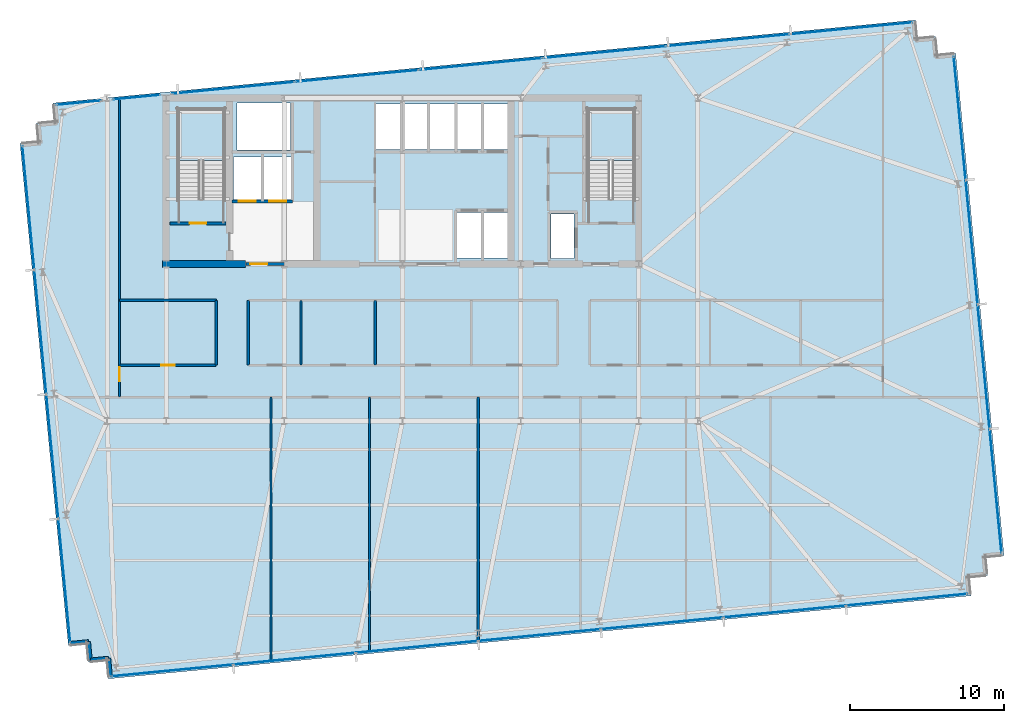
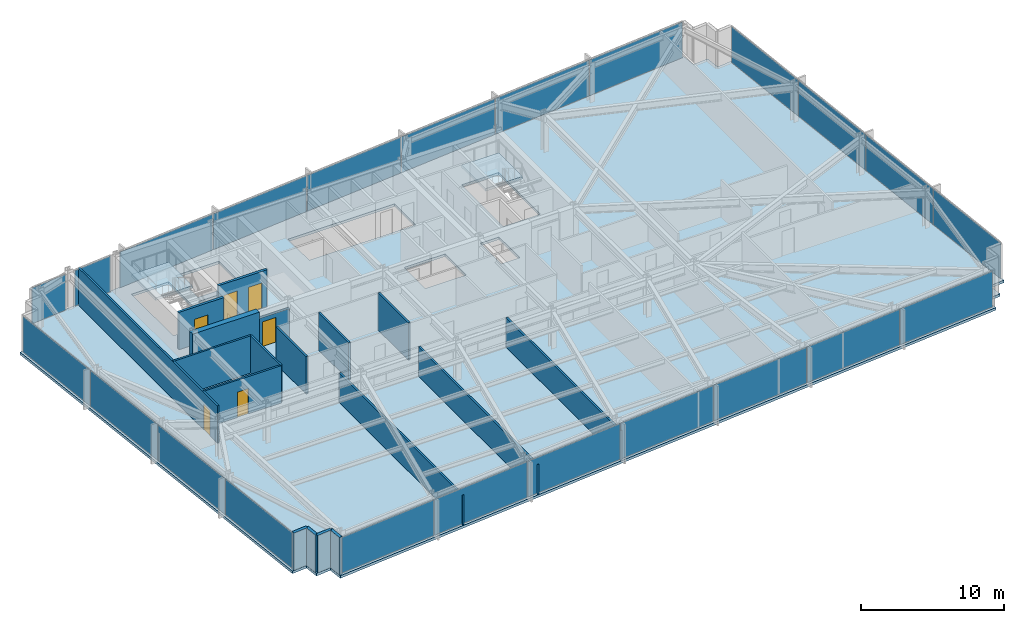
# One storey, part 24 of 33: 23 plates, 18 walls, 6 doors, 3 slabs, 6 openings, 8 elements without a shape of their own.
"""IFC4 building model written with IfcOpenShell, lengths in metres."""

from ifc_helpers import new_model, si_unit, direction, frame, frame_2d, origin, origin_2d, place, context, subcontext, project, spatial, polyline, rectangle, outline, extrude, material, layer, layer_set, type_object, element, fill, aggregate, save


model = new_model("IFC4")

# Units and contexts
model_context = context("Model", 3, precision=1e-05, world=origin(), true_north=direction((0.0, 1.0)))
body_context = subcontext(model_context, "Body", "Model", "MODEL_VIEW")
ifc_project = project(units=[si_unit("LENGTHUNIT", "METRE"), si_unit("AREAUNIT", "SQUARE_METRE"), si_unit("VOLUMEUNIT", "CUBIC_METRE"), si_unit("PLANEANGLEUNIT", "RADIAN"), si_unit("MASSUNIT", "GRAM", prefix="KILO")], contexts=[model_context])

# Site, building, storey
site_placement = place(None, origin())
site = spatial("IfcSite", under=ifc_project, at=site_placement, CompositionType="ELEMENT")
building_placement = place(site_placement, origin())
building = spatial("IfcBuilding", under=site, at=building_placement, Name="Yelkora Congress Tower", CompositionType="ELEMENT")
storey_placement = place(building_placement, frame((0.0, 0.0, 106.699951171875)))
storey = spatial("IfcBuildingStorey", under=building, at=storey_placement, Name="L28", CompositionType="ELEMENT", Elevation=106.699951171875)

# Curtain wall, plates
ifc_material_1 = material(Name="Anodised aluminium and insulated glass", Category="aluminium")
curtain_wall_type = type_object("IfcCurtainWallType", Name="CW-SYS-B2", PredefinedType="NOTDEFINED", material=ifc_material_1)
curtain_wall_1_placement = place(storey_placement, origin())
curtain_wall_1 = element("IfcCurtainWall", 1, at=curtain_wall_1_placement, inside=storey, type_object=curtain_wall_type, Name="L28 Unitised Curtain Wall 5", PredefinedType="NOTDEFINED")
ifc_material_2 = material(Name="Solar-control low-E glass unit B2", Category="glass")
ifc_layer_1 = layer(ifc_material_2, 0.0380859375)
ifc_layer_set_1 = layer_set([ifc_layer_1], Name="Solar-control low-E glass unit B2")
plate_type = type_object("IfcPlateType", Name="PLT-PN-B2", PredefinedType="CURTAIN_PANEL", material=ifc_layer_set_1)
plate_1_placement = place(storey_placement, frame((16.41650390625, 14.820068359375, 0.06494140625), z_axis=(0.0, 0.0, 1.0), x_axis=(-0.095842541913, 0.995396507508, 0.0)))
plate_1 = element("IfcPlate", 2, at=plate_1_placement, type_object=plate_type, Name="CW-B2 panel 1.1", PredefinedType="CURTAIN_PANEL", context=body_context, shape_type="SweptSolid", body=[
    extrude(rectangle(XDim=8.02490234375, YDim=0.0380859375, at=origin_2d()), origin(), (0.0, 0.0, 1.0), 3.050048828125),
])
plate_2_placement = place(storey_placement, frame((15.638916015625, 22.895263671875, 0.06494140625), z_axis=(0.0, 0.0, 1.0), x_axis=(-0.095842541913, 0.995396507508, 0.0)))
plate_2 = element("IfcPlate", 3, at=plate_2_placement, type_object=plate_type, Name="CW-B2 panel 2.1", PredefinedType="CURTAIN_PANEL", context=body_context, shape_type="SweptSolid", body=[
    extrude(rectangle(XDim=8.06005859375, YDim=0.0380859375, at=origin_2d()), origin(), (0.0, 0.0, 1.0), 3.050048828125),
])
plate_3_placement = place(storey_placement, frame((14.859619140625, 30.98779296875, 0.06494140625), z_axis=(0.0, 0.0, 1.0), x_axis=(-0.095842541913, 0.995396507508, 0.0)))
plate_3 = element("IfcPlate", 4, at=plate_3_placement, type_object=plate_type, Name="CW-B2 panel 3.1", PredefinedType="CURTAIN_PANEL", context=body_context, shape_type="SweptSolid", body=[
    extrude(rectangle(XDim=8.06005859375, YDim=0.0380859375, at=origin_2d()), origin(), (0.0, 0.0, 1.0), 3.050048828125),
])
plate_4_placement = place(storey_placement, frame((14.082275390625, 39.06298828125, 0.06494140625), z_axis=(0.0, 0.0, 1.0), x_axis=(-0.095842541913, 0.995396507508, 0.0)))
plate_4 = element("IfcPlate", 5, at=plate_4_placement, type_object=plate_type, Name="CW-B2 panel 4.1", PredefinedType="CURTAIN_PANEL", context=body_context, shape_type="SweptSolid", body=[
    extrude(rectangle(XDim=8.02490234375, YDim=0.0380859375, at=origin_2d()), origin(), (0.0, 0.0, 1.0), 3.050048828125),
])
aggregate(curtain_wall_1, [plate_1, plate_2, plate_3, plate_4])

# Curtain wall, plate
curtain_wall_2_placement = place(storey_placement, origin())
curtain_wall_2 = element("IfcCurtainWall", 6, at=curtain_wall_2_placement, inside=storey, type_object=curtain_wall_type, Name="L28 Unitised Curtain Wall 10 (1)", PredefinedType="NOTDEFINED")
plate_5_placement = place(storey_placement, frame((17.35888671875, 45.89111328125, 0.06494140625), z_axis=(0.0, 0.0, 1.0), x_axis=(0.99539681521, 0.095839346142, 0.0)))
plate_5 = element("IfcPlate", 7, at=plate_5_placement, type_object=plate_type, Name="CW-B2 panel 1.1", PredefinedType="CURTAIN_PANEL", context=body_context, shape_type="SweptSolid", body=[
    extrude(rectangle(XDim=2.89208984375, YDim=0.0380859375, at=origin_2d()), origin(), (0.0, 0.0, 1.0), 3.050048828125),
])
aggregate(curtain_wall_2, [plate_5])

curtain_wall_3_placement = place(storey_placement, origin())
curtain_wall_3 = element("IfcCurtainWall", 8, at=curtain_wall_3_placement, inside=storey, type_object=curtain_wall_type, Name="L28 Unitised Curtain Wall 10 (2)", PredefinedType="NOTDEFINED")
plate_6_placement = place(storey_placement, frame((21.1201171875, 46.253173828125, 0.06494140625), z_axis=(0.0, 0.0, 1.0), x_axis=(0.99539661748, 0.095841399764, 0.0)))
plate_6 = element("IfcPlate", 9, at=plate_6_placement, type_object=plate_type, Name="CW-B2 panel 1.1", PredefinedType="CURTAIN_PANEL", context=body_context, shape_type="SweptSolid", body=[
    extrude(rectangle(XDim=3.05078125, YDim=0.0380859375, at=origin_2d()), origin(), (0.0, 0.0, 1.0), 3.050048828125),
])
aggregate(curtain_wall_3, [plate_6])

# Curtain wall, plates
curtain_wall_4_placement = place(storey_placement, origin())
curtain_wall_4 = element("IfcCurtainWall", 10, at=curtain_wall_4_placement, inside=storey, type_object=curtain_wall_type, Name="L28 Unitised Curtain Wall 10 (3)", PredefinedType="NOTDEFINED")
plate_7_placement = place(storey_placement, frame((27.409423828125, 46.858642578125, 0.06494140625), z_axis=(0.0, 0.0, 1.0), x_axis=(0.995396344153, 0.095844238468, 0.0)))
plate_7 = element("IfcPlate", 11, at=plate_7_placement, type_object=plate_type, Name="CW-B2 panel 1.1", PredefinedType="CURTAIN_PANEL", context=body_context, shape_type="SweptSolid", body=[
    extrude(rectangle(XDim=7.97216796875, YDim=0.0380859375, at=origin_2d()), origin(), (0.0, 0.0, 1.0), 3.050048828125),
])
plate_8_placement = place(storey_placement, frame((35.431884765625, 47.631103515625, 0.06494140625), z_axis=(0.0, 0.0, 1.0), x_axis=(0.995396344153, 0.095844238468, 0.0)))
plate_8 = element("IfcPlate", 12, at=plate_8_placement, type_object=plate_type, Name="CW-B2 panel 2.1", PredefinedType="CURTAIN_PANEL", context=body_context, shape_type="SweptSolid", body=[
    extrude(rectangle(XDim=8.007080078125, YDim=0.0380859375, at=origin_2d()), origin(), (0.0, 0.0, 1.0), 3.050048828125),
])
plate_9_placement = place(storey_placement, frame((43.471923828125, 48.4052734375, 0.06494140625), z_axis=(0.0, 0.0, 1.0), x_axis=(0.995396344153, 0.095844238468, 0.0)))
plate_9 = element("IfcPlate", 13, at=plate_9_placement, type_object=plate_type, Name="CW-B2 panel 3.1", PredefinedType="CURTAIN_PANEL", context=body_context, shape_type="SweptSolid", body=[
    extrude(rectangle(XDim=8.007080078125, YDim=0.0380859375, at=origin_2d()), origin(), (0.0, 0.0, 1.0), 3.050048828125),
])
plate_10_placement = place(storey_placement, frame((51.511962890625, 49.179443359375, 0.06494140625), z_axis=(0.0, 0.0, 1.0), x_axis=(0.995396344153, 0.095844238468, 0.0)))
plate_10 = element("IfcPlate", 14, at=plate_10_placement, type_object=plate_type, Name="CW-B2 panel 4.1", PredefinedType="CURTAIN_PANEL", context=body_context, shape_type="SweptSolid", body=[
    extrude(rectangle(XDim=8.007080078125, YDim=0.0380859375, at=origin_2d()), origin(), (0.0, 0.0, 1.0), 3.050048828125),
])
plate_11_placement = place(storey_placement, frame((59.552001953125, 49.95361328125, 0.06494140625), z_axis=(0.0, 0.0, 1.0), x_axis=(0.995396344153, 0.095844238468, 0.0)))
plate_11 = element("IfcPlate", 15, at=plate_11_placement, type_object=plate_type, Name="CW-B2 panel 5.1", PredefinedType="CURTAIN_PANEL", context=body_context, shape_type="SweptSolid", body=[
    extrude(rectangle(XDim=8.007080078125, YDim=0.0380859375, at=origin_2d()), origin(), (0.0, 0.0, 1.0), 3.050048828125),
])
plate_12_placement = place(storey_placement, frame((67.574462890625, 50.72607421875, 0.06494140625), z_axis=(0.0, 0.0, 1.0), x_axis=(0.995396344153, 0.095844238468, 0.0)))
plate_12 = element("IfcPlate", 16, at=plate_12_placement, type_object=plate_type, Name="CW-B2 panel 6.1", PredefinedType="CURTAIN_PANEL", context=body_context, shape_type="SweptSolid", body=[
    extrude(rectangle(XDim=7.97216796875, YDim=0.0380859375, at=origin_2d()), origin(), (0.0, 0.0, 1.0), 3.050048828125),
])
aggregate(curtain_wall_4, [plate_7, plate_8, plate_9, plate_10, plate_11, plate_12])

curtain_wall_5_placement = place(storey_placement, origin())
curtain_wall_5 = element("IfcCurtainWall", 17, at=curtain_wall_5_placement, inside=storey, type_object=curtain_wall_type, Name="L28 Unitised Curtain Wall 15", PredefinedType="NOTDEFINED")
plate_13_placement = place(storey_placement, frame((74.6220703125, 44.892333984375, 0.06494140625), z_axis=(0.0, 0.0, 1.0), x_axis=(0.095842541913, -0.995396507508, 0.0)))
plate_13 = element("IfcPlate", 18, at=plate_13_placement, type_object=plate_type, Name="CW-B2 panel 1.1", PredefinedType="CURTAIN_PANEL", context=body_context, shape_type="SweptSolid", body=[
    extrude(rectangle(XDim=8.02490234375, YDim=0.0380859375, at=origin_2d()), origin(), (0.0, 0.0, 1.0), 3.050048828125),
])
plate_14_placement = place(storey_placement, frame((75.399658203125, 36.817138671875, 0.06494140625), z_axis=(0.0, 0.0, 1.0), x_axis=(0.095842541913, -0.995396507508, 0.0)))
plate_14 = element("IfcPlate", 19, at=plate_14_placement, type_object=plate_type, Name="CW-B2 panel 2.1", PredefinedType="CURTAIN_PANEL", context=body_context, shape_type="SweptSolid", body=[
    extrude(rectangle(XDim=8.06005859375, YDim=0.0380859375, at=origin_2d()), origin(), (0.0, 0.0, 1.0), 3.050048828125),
])
plate_15_placement = place(storey_placement, frame((76.178955078125, 28.724609375, 0.06494140625), z_axis=(0.0, 0.0, 1.0), x_axis=(0.095842541913, -0.995396507508, 0.0)))
plate_15 = element("IfcPlate", 20, at=plate_15_placement, type_object=plate_type, Name="CW-B2 panel 3.1", PredefinedType="CURTAIN_PANEL", context=body_context, shape_type="SweptSolid", body=[
    extrude(rectangle(XDim=8.06005859375, YDim=0.0380859375, at=origin_2d()), origin(), (0.0, 0.0, 1.0), 3.050048828125),
])
plate_16_placement = place(storey_placement, frame((76.95654296875, 20.6494140625, 0.06494140625), z_axis=(0.0, 0.0, 1.0), x_axis=(0.095842541913, -0.995396507508, 0.0)))
plate_16 = element("IfcPlate", 21, at=plate_16_placement, type_object=plate_type, Name="CW-B2 panel 4.1", PredefinedType="CURTAIN_PANEL", context=body_context, shape_type="SweptSolid", body=[
    extrude(rectangle(XDim=8.02490234375, YDim=0.0380859375, at=origin_2d()), origin(), (0.0, 0.0, 1.0), 3.050048828125),
])
aggregate(curtain_wall_5, [plate_13, plate_14, plate_15, plate_16])

curtain_wall_6_placement = place(storey_placement, origin())
curtain_wall_6 = element("IfcCurtainWall", 22, at=curtain_wall_6_placement, inside=storey, type_object=curtain_wall_type, Name="L28 Unitised Curtain Wall 20", PredefinedType="NOTDEFINED")
plate_17_placement = place(storey_placement, frame((71.1884765625, 13.58154296875, 0.06494140625), z_axis=(0.0, 0.0, 1.0), x_axis=(-0.995396333816, -0.095844345816, 0.0)))
plate_17 = element("IfcPlate", 23, at=plate_17_placement, type_object=plate_type, Name="CW-B2 panel 1.1", PredefinedType="CURTAIN_PANEL", context=body_context, shape_type="SweptSolid", body=[
    extrude(rectangle(XDim=7.89794921875, YDim=0.0380859375, at=origin_2d()), origin(), (0.0, 0.0, 1.0), 3.050048828125),
])
plate_18_placement = place(storey_placement, frame((63.23974609375, 12.816162109375, 0.06494140625), z_axis=(0.0, 0.0, 1.0), x_axis=(-0.995396333816, -0.095844345816, 0.0)))
plate_18 = element("IfcPlate", 24, at=plate_18_placement, type_object=plate_type, Name="CW-B2 panel 2.1", PredefinedType="CURTAIN_PANEL", context=body_context, shape_type="SweptSolid", body=[
    extrude(rectangle(XDim=7.932861328125, YDim=0.0380859375, at=origin_2d()), origin(), (0.0, 0.0, 1.0), 3.050048828125),
])
plate_19_placement = place(storey_placement, frame((55.273681640625, 12.049072265625, 0.06494140625), z_axis=(0.0, 0.0, 1.0), x_axis=(-0.995396333816, -0.095844345816, 0.0)))
plate_19 = element("IfcPlate", 25, at=plate_19_placement, type_object=plate_type, Name="CW-B2 panel 3.1", PredefinedType="CURTAIN_PANEL", context=body_context, shape_type="SweptSolid", body=[
    extrude(rectangle(XDim=7.932861328125, YDim=0.0380859375, at=origin_2d()), origin(), (0.0, 0.0, 1.0), 3.050048828125),
])
plate_20_placement = place(storey_placement, frame((47.307861328125, 11.281982421875, 0.06494140625), z_axis=(0.0, 0.0, 1.0), x_axis=(-0.995396333816, -0.095844345816, 0.0)))
plate_20 = element("IfcPlate", 26, at=plate_20_placement, type_object=plate_type, Name="CW-B2 panel 4.1", PredefinedType="CURTAIN_PANEL", context=body_context, shape_type="SweptSolid", body=[
    extrude(rectangle(XDim=7.932861328125, YDim=0.0380859375, at=origin_2d()), origin(), (0.0, 0.0, 1.0), 3.050048828125),
])
plate_21_placement = place(storey_placement, frame((39.341796875, 10.51513671875, 0.06494140625), z_axis=(0.0, 0.0, 1.0), x_axis=(-0.995396333816, -0.095844345816, 0.0)))
plate_21 = element("IfcPlate", 27, at=plate_21_placement, type_object=plate_type, Name="CW-B2 panel 5.1", PredefinedType="CURTAIN_PANEL", context=body_context, shape_type="SweptSolid", body=[
    extrude(rectangle(XDim=7.932861328125, YDim=0.0380859375, at=origin_2d()), origin(), (0.0, 0.0, 1.0), 3.050048828125),
])
plate_22_placement = place(storey_placement, frame((31.375732421875, 9.748046875, 0.06494140625), z_axis=(0.0, 0.0, 1.0), x_axis=(-0.995396333816, -0.095844345816, 0.0)))
plate_22 = element("IfcPlate", 28, at=plate_22_placement, type_object=plate_type, Name="CW-B2 panel 6.1", PredefinedType="CURTAIN_PANEL", context=body_context, shape_type="SweptSolid", body=[
    extrude(rectangle(XDim=7.932861328125, YDim=0.0380859375, at=origin_2d()), origin(), (0.0, 0.0, 1.0), 3.050048828125),
])
plate_23_placement = place(storey_placement, frame((23.42724609375, 8.982666015625, 0.06494140625), z_axis=(0.0, 0.0, 1.0), x_axis=(-0.995396333816, -0.095844345816, 0.0)))
plate_23 = element("IfcPlate", 29, at=plate_23_placement, type_object=plate_type, Name="CW-B2 panel 7.1", PredefinedType="CURTAIN_PANEL", context=body_context, shape_type="SweptSolid", body=[
    extrude(rectangle(XDim=7.89794921875, YDim=0.0380859375, at=origin_2d()), origin(), (0.0, 0.0, 1.0), 3.050048828125),
])
aggregate(curtain_wall_6, [plate_17, plate_18, plate_19, plate_20, plate_21, plate_22, plate_23])

# Stair, slab
ifc_material_3 = material(Name="Concrete C40/50", Category="concrete")
stair_type = type_object("IfcStairType", Name="STAIR-HT-1420-R20-170", PredefinedType="HALF_TURN_STAIR", material=ifc_material_3)
stair_1_placement = place(storey_placement, origin())
stair_1 = element("IfcStair", 30, at=stair_1_placement, inside=storey, type_object=stair_type, Name="West Core Protected Exit Stair ST-01 (L28)", PredefinedType="HALF_TURN_STAIR")
ifc_layer_2 = layer(ifc_material_3, 0.219970703125)
ifc_layer_set_2 = layer_set([ifc_layer_2], Name="Concrete C40/50")
slab_type_1 = type_object("IfcSlabType", Name="SLAB-LANDING-220", PredefinedType="LANDING", material=ifc_layer_set_2)
slab_1_placement = place(storey_placement, frame((0.0, 0.0, 1.47998046875)))
slab_1 = element("IfcSlab", 31, at=slab_1_placement, type_object=slab_type_1, Name="ST-01 L28 Half Landing 1", PredefinedType="LANDING", context=body_context, shape_type="SweptSolid", body=[
    extrude(outline(polyline([(26.820068359375, 42.1201171875), (26.820068359375, 45.469970703125), (23.820068359375, 45.469970703125), (23.820068359375, 42.1201171875), (26.820068359375, 42.1201171875)])), origin(), (0.0, 0.0, 1.0), 0.219970703125),
])
aggregate(stair_1, [slab_1])

stair_2_placement = place(storey_placement, origin())
stair_2 = element("IfcStair", 32, at=stair_2_placement, inside=storey, type_object=stair_type, Name="East Core Protected Exit Stair ST-02 (L28)", PredefinedType="HALF_TURN_STAIR")
slab_2_placement = place(storey_placement, frame((0.0, 0.0, 1.47998046875)))
slab_2 = element("IfcSlab", 33, at=slab_2_placement, type_object=slab_type_1, Name="ST-02 L28 Half Landing 1", PredefinedType="LANDING", context=body_context, shape_type="SweptSolid", body=[
    extrude(outline(polyline([(53.4599609375, 42.1201171875), (53.4599609375, 45.469970703125), (50.4599609375, 45.469970703125), (50.4599609375, 42.1201171875), (53.4599609375, 42.1201171875)])), origin(), (0.0, 0.0, 1.0), 0.219970703125),
])
aggregate(stair_2, [slab_2])

# Slab
ifc_layer_3 = layer(ifc_material_3, 0.219970703125)
ifc_layer_set_3 = layer_set([ifc_layer_3], Name="Concrete C40/50")
slab_type_2 = type_object("IfcSlabType", Name="SLAB-TWR-220", PredefinedType="FLOOR", material=ifc_layer_set_3)
slab_3_placement = place(storey_placement, frame((0.0, 0.0, -0.219970703125)))
element("IfcSlab", 34, at=slab_3_placement, inside=storey, type_object=slab_type_2, Name="L28 Structural Floor Slab", PredefinedType="FLOOR", context=body_context, shape_type="SweptSolid", body=[
    extrude(outline(polyline([(19.30078125, 8.444580078125), (75.341552734375, 13.8408203125), (75.2265625, 15.035400390625), (76.421142578125, 15.150390625), (76.30615234375, 16.3447265625), (77.50048828125, 16.459716796875), (74.356689453125, 49.10888671875), (73.162353515625, 48.99365234375), (73.04736328125, 50.188232421875), (71.852783203125, 50.0732421875), (71.73779296875, 51.267578125), (15.697021484375, 45.87158203125), (15.81201171875, 44.677001953125), (14.61767578125, 44.56201171875), (14.732666015625, 43.36767578125), (13.5380859375, 43.252685546875), (16.681884765625, 10.603515625), (17.876220703125, 10.718505859375), (17.9912109375, 9.524169921875), (19.185791015625, 9.63916015625), (19.30078125, 8.444580078125)]), holes=[polyline([(23.820068359375, 39.6298828125), (26.820068359375, 39.6298828125), (26.820068359375, 45.469970703125), (23.820068359375, 45.469970703125), (23.820068359375, 39.6298828125)]), polyline([(50.4599609375, 39.6298828125), (53.4599609375, 39.6298828125), (53.4599609375, 45.469970703125), (50.4599609375, 45.469970703125), (50.4599609375, 39.6298828125)]), polyline([(48.050048828125, 35.75), (49.550048828125, 35.75), (49.550048828125, 38.64990234375), (48.050048828125, 38.64990234375), (48.050048828125, 35.75)]), polyline([(36.64990234375, 42.85009765625), (45.25, 42.85009765625), (45.25, 45.800048828125), (36.64990234375, 45.800048828125), (36.64990234375, 42.85009765625)]), polyline([(41.949951171875, 35.800048828125), (45.25, 35.800048828125), (45.25, 38.75), (41.949951171875, 38.75), (41.949951171875, 35.800048828125)]), polyline([(27.419921875, 39.60009765625), (31.179931640625, 39.60009765625), (31.179931640625, 42.35009765625), (27.419921875, 42.35009765625), (27.419921875, 39.60009765625)]), polyline([(27.64990234375, 42.820068359375), (31.1201171875, 42.820068359375), (31.1201171875, 45.8798828125), (27.64990234375, 45.8798828125), (27.64990234375, 42.820068359375)])]), origin(), (0.0, 0.0, 1.0), 0.219970703125),
])

# Walls
ifc_material_4 = material(Name="Concrete C60/75", Category="concrete")
ifc_layer_4 = layer(ifc_material_4, 0.449951171875)
ifc_layer_set_4 = layer_set([ifc_layer_4], Name="Concrete C60/75")
wall_type_1 = type_object("IfcWallType", Name="WALL-CORE-INT-450", PredefinedType="SHEAR", material=ifc_layer_set_4)
wall_1_placement = place(storey_placement, frame((22.81494140625, 35.39990234375, 0.0), z_axis=(0.0, 0.0, 1.0), x_axis=(1.0, 0.0, 0.0)))
element("IfcWall", 35, at=wall_1_placement, inside=storey, type_object=wall_type_1, Name="L28 Rear Core South-West Shear Wall", PredefinedType="SHEAR", context=body_context, shape_type="SweptSolid", body=[
    extrude(rectangle(XDim=5.385009765625, YDim=0.449951171875, at=frame_2d((2.6923828125, 0.0))), origin(), (0.0, 0.0, 1.0), 3.179931640625),
])
ifc_layer_5 = layer(ifc_material_3, 0.239990234375)
ifc_layer_set_5 = layer_set([ifc_layer_5], Name="Concrete C40/50")
wall_type_2 = type_object("IfcWallType", Name="WALL-EXT-LIMESTONE-240", PredefinedType="SOLIDWALL", material=ifc_layer_set_5)
for number, where, z_axis, x_axis, name in (
    (36, (19.4267578125, 8.597412109375, 0.0), (0.0, 0.0, 1.0), (-0.095817067274, 0.995398960025, 0.0), "L28 Serrated Corner Limestone Pier 1"),
    (37, (19.311767578125, 9.7919921875, 0.0), (0.0, 0.0, 1.0), (-0.995398960025, -0.095817067274, 0.0), "L28 Serrated Corner Limestone Pier 2"),
):
    element("IfcWall", number, at=place(storey_placement, frame(where, z_axis=z_axis, x_axis=x_axis)), inside=storey, type_object=wall_type_2, Name=name, PredefinedType="SOLIDWALL", context=body_context, shape_type="SweptSolid", body=[
        extrude(rectangle(XDim=1.2001953125, YDim=0.239990234375, at=frame_2d((0.60009765625, 0.0))), origin(), (0.0, 0.0, 1.0), 3.179931640625),
    ])
wall_2_placement = place(storey_placement, frame((18.1171875, 9.677001953125, 0.0), z_axis=(0.0, 0.0, 1.0), x_axis=(-0.095836473879, 0.995397091755, 0.0)))
element("IfcWall", 38, at=wall_2_placement, inside=storey, type_object=wall_type_2, Name="L28 Serrated Corner Limestone Pier 3", PredefinedType="SOLIDWALL", context=body_context, shape_type="SweptSolid", body=[
    extrude(rectangle(XDim=1.199951171875, YDim=0.239990234375, at=frame_2d((0.60009765625, 0.0))), origin(), (0.0, 0.0, 1.0), 3.179931640625),
])
wall_3_placement = place(storey_placement, frame((18.002197265625, 10.871337890625, 0.0), z_axis=(0.0, 0.0, 1.0), x_axis=(-0.995398960025, -0.095817067274, 0.0)))
element("IfcWall", 39, at=wall_3_placement, inside=storey, type_object=wall_type_2, Name="L28 Serrated Corner Limestone Pier 4", PredefinedType="SOLIDWALL", context=body_context, shape_type="SweptSolid", body=[
    extrude(rectangle(XDim=1.2001953125, YDim=0.239990234375, at=frame_2d((0.60009765625, 0.0))), origin(), (0.0, 0.0, 1.0), 3.179931640625),
])
ifc_material_5 = material(Name="Acoustic metal-stud gypsum partition", Category="gypsum")
ifc_layer_6 = layer(ifc_material_5, 0.14990234375)
ifc_layer_set_6 = layer_set([ifc_layer_6], Name="Acoustic metal-stud gypsum partition")
wall_type_3 = type_object("IfcWallType", Name="WALL-INT-150-NR", PredefinedType="PARTITIONING", material=ifc_layer_set_6)
wall_4_placement = place(storey_placement, frame((29.85791015625, 9.54150390625, 0.0), z_axis=(0.0, 0.0, 1.0), x_axis=(0.0, 1.0, 0.0)))
element("IfcWall", 40, at=wall_4_placement, inside=storey, type_object=wall_type_3, Name="L28 Partition Wall 27", PredefinedType="PARTITIONING", context=body_context, shape_type="SweptSolid", body=[
    extrude(rectangle(XDim=17.228515625, YDim=0.14990234375, at=frame_2d((8.6142578125, 0.0))), origin(), (0.0, 0.0, 1.0), 2.525146484375),
])
wall_5_placement = place(storey_placement, frame((36.259033203125, 10.157958984375, 0.0), z_axis=(0.0, 0.0, 1.0), x_axis=(0.0, 1.0, 0.0)))
element("IfcWall", 41, at=wall_5_placement, inside=storey, type_object=wall_type_3, Name="L28 Partition Wall 28", PredefinedType="PARTITIONING", context=body_context, shape_type="SweptSolid", body=[
    extrude(rectangle(XDim=16.612060546875, YDim=0.14990234375, at=frame_2d((8.30615234375, 0.0))), origin(), (0.0, 0.0, 1.0), 2.525146484375),
])
wall_6_placement = place(storey_placement, frame((43.333984375, 10.839111328125, 0.0), z_axis=(0.0, 0.0, 1.0), x_axis=(0.0, 1.0, 0.0)))
element("IfcWall", 42, at=wall_6_placement, inside=storey, type_object=wall_type_3, Name="L28 Partition Wall 29", PredefinedType="PARTITIONING", context=body_context, shape_type="SweptSolid", body=[
    extrude(rectangle(XDim=15.930908203125, YDim=0.14990234375, at=frame_2d((7.96533203125, 0.0))), origin(), (0.0, 0.0, 1.0), 2.525146484375),
])

# Wall, opening, door
wall_7_placement = place(storey_placement, frame((20.008056640625, 26.75, 0.0), z_axis=(0.0, 0.0, 1.0), x_axis=(0.0, 1.0, 0.0)))
wall_7 = element("IfcWall", 43, at=wall_7_placement, inside=storey, type_object=wall_type_3, Name="L28 Partition Wall 34", PredefinedType="PARTITIONING", context=body_context, shape_type="SweptSolid", body=[
    extrude(rectangle(XDim=19.456298828125, YDim=0.14990234375, at=frame_2d((9.72802734375, 0.0))), origin(), (0.0, 0.0, 1.0), 3.179931640625),
])
opening_1_placement = place(wall_7_placement, frame((1.030029296875, 0.0, 0.0)))
opening_1 = element("IfcOpeningElement", 44, at=opening_1_placement, cuts=wall_7, Name="Opening DR-090N", PredefinedType="OPENING", context=body_context, shape_type="SweptSolid", body=[
    extrude(rectangle(XDim=0.89990234375, YDim=2.14990234375, at=frame_2d((0.449951171875, 1.074951171875))), frame((0.0, 0.0849609375, 0.0), z_axis=(0.0, -1.0, 0.0), x_axis=(1.0, 0.0, 0.0)), (0.0, 0.0, 1.0), 0.169921875),
])
ifc_material_6 = material(Name="Moisture-resistant laminate door leaf", Category="wood")
door_type_1 = type_object("IfcDoorType", Name="DOOR-INT-900", OperationType="NOTDEFINED", PredefinedType="DOOR", material=ifc_material_6)
door_1_placement = place(opening_1_placement, origin())
door_1 = element("IfcDoor", 45, at=door_1_placement, inside=storey, type_object=door_type_1, Name="L28 W Wing Door", OperationType="SINGLE_SWING_RIGHT", OverallHeight=2.14990234375, OverallWidth=0.89990234375, PredefinedType="DOOR", context=body_context, shape_type="SweptSolid", body=[
    extrude(rectangle(XDim=0.89990234375, YDim=2.14990234375, at=frame_2d((0.449951171875, 1.074951171875))), frame((0.0, 0.02490234375, 0.0), z_axis=(0.0, -1.0, 0.0), x_axis=(1.0, 0.0, 0.0)), (0.0, 0.0, 1.0), 0.050048828125),
])
fill(opening_1, door_1)

# Walls
for number, where, z_axis, x_axis, name in (
    (46, (26.300048828125, 28.830078125, 0.0), (0.0, 0.0, 1.0), (0.0, 1.0, 0.0), "L28 Partition Wall 36"),
    (47, (28.3798828125, 28.830078125, 0.0), (0.0, 0.0, 1.0), (0.0, 1.0, 0.0), "L28 Partition Wall 37"),
):
    element("IfcWall", number, at=place(storey_placement, frame(where, z_axis=z_axis, x_axis=x_axis)), inside=storey, type_object=wall_type_3, Name=name, PredefinedType="PARTITIONING", context=body_context, shape_type="SweptSolid", body=[
        extrude(rectangle(XDim=4.219970703125, YDim=0.14990234375, at=frame_2d((2.10986328125, 0.0))), origin(), (0.0, 0.0, 1.0), 3.179931640625),
    ])
wall_8_placement = place(storey_placement, frame((20.008056640625, 33.050048828125, 0.0), z_axis=(0.0, 0.0, 1.0), x_axis=(1.0, 0.0, 0.0)))
element("IfcWall", 48, at=wall_8_placement, inside=storey, type_object=wall_type_3, Name="L28 Partition Wall 40", PredefinedType="PARTITIONING", context=body_context, shape_type="SweptSolid", body=[
    extrude(rectangle(XDim=6.2919921875, YDim=0.14990234375, at=frame_2d((3.14599609375, 0.0))), origin(), (0.0, 0.0, 1.0), 3.179931640625),
])

# Wall, opening, door
wall_9_placement = place(storey_placement, frame((20.028076171875, 28.830078125, 0.0), z_axis=(0.0, 0.0, 1.0), x_axis=(1.0, 0.0, 0.0)))
wall_9 = element("IfcWall", 49, at=wall_9_placement, inside=storey, type_object=wall_type_3, Name="L28 Partition Wall 43", PredefinedType="PARTITIONING", context=body_context, shape_type="SweptSolid", body=[
    extrude(rectangle(XDim=6.261962890625, YDim=0.14990234375, at=frame_2d((3.130859375, 0.0))), origin(), (0.0, 0.0, 1.0), 3.179931640625),
])
opening_2_placement = place(wall_9_placement, frame((2.680908203125, 0.0, 0.0)))
opening_2 = element("IfcOpeningElement", 50, at=opening_2_placement, cuts=wall_9, Name="Opening DR-090N", PredefinedType="OPENING", context=body_context, shape_type="SweptSolid", body=[
    extrude(rectangle(XDim=0.89990234375, YDim=2.14990234375, at=frame_2d((0.449951171875, 1.074951171875))), frame((0.0, 0.0849609375, 0.0), z_axis=(0.0, -1.0, 0.0), x_axis=(1.0, 0.0, 0.0)), (0.0, 0.0, 1.0), 0.169921875),
])
door_2_placement = place(opening_2_placement, origin())
door_2 = element("IfcDoor", 51, at=door_2_placement, inside=storey, type_object=door_type_1, Name="L28 Fitness Yoga Studio Door", OperationType="SINGLE_SWING_RIGHT", OverallHeight=2.14990234375, OverallWidth=0.89990234375, PredefinedType="DOOR", context=body_context, shape_type="SweptSolid", body=[
    extrude(rectangle(XDim=0.89990234375, YDim=2.14990234375, at=frame_2d((0.449951171875, 1.074951171875))), frame((0.0, 0.02490234375, 0.0), z_axis=(0.0, -1.0, 0.0), x_axis=(1.0, 0.0, 0.0)), (0.0, 0.0, 1.0), 0.050048828125),
])
fill(opening_2, door_2)

# Walls
for number, where, z_axis, x_axis, name in (
    (52, (31.806884765625, 28.830078125, 0.0), (0.0, 0.0, 1.0), (0.0, 1.0, 0.0), "L28 Partition Wall 44"),
    (53, (36.631103515625, 28.830078125, 0.0), (0.0, 0.0, 1.0), (0.0, 1.0, 0.0), "L28 Partition Wall 45"),
):
    element("IfcWall", number, at=place(storey_placement, frame(where, z_axis=z_axis, x_axis=x_axis)), inside=storey, type_object=wall_type_3, Name=name, PredefinedType="PARTITIONING", context=body_context, shape_type="SweptSolid", body=[
        extrude(rectangle(XDim=4.219970703125, YDim=0.14990234375, at=frame_2d((2.10986328125, 0.0))), origin(), (0.0, 0.0, 1.0), 3.179931640625),
    ])

# Wall, opening, door
ifc_material_7 = material(Name="Autoclaved aerated concrete blockwork", Category="masonry")
ifc_layer_7 = layer(ifc_material_7, 0.199951171875)
ifc_layer_set_7 = layer_set([ifc_layer_7], Name="Autoclaved aerated concrete blockwork")
wall_type_4 = type_object("IfcWallType", Name="WALL-INT-200-R120", PredefinedType="PARTITIONING", material=ifc_layer_set_7)
wall_10_placement = place(storey_placement, frame((23.300048828125, 38.050048828125, 0.0), z_axis=(0.0, 0.0, 1.0), x_axis=(1.0, 0.0, 0.0)))
wall_10 = element("IfcWall", 54, at=wall_10_placement, inside=storey, type_object=wall_type_4, Name="L28 Stair ST-01 Enclosure Wall", PredefinedType="PARTITIONING", context=body_context, shape_type="SweptSolid", body=[
    extrude(rectangle(XDim=3.619873046875, YDim=0.199951171875, at=frame_2d((1.81005859375, 0.0))), origin(), (0.0, 0.0, 1.0), 3.179931640625),
])
opening_3_placement = place(wall_10_placement, frame((1.260009765625, 0.0, 0.0)))
opening_3 = element("IfcOpeningElement", 55, at=opening_3_placement, cuts=wall_10, Name="Opening DR-110F9", PredefinedType="OPENING", context=body_context, shape_type="SweptSolid", body=[
    extrude(rectangle(XDim=1.10009765625, YDim=2.14990234375, at=frame_2d((0.550048828125, 1.074951171875))), frame((0.0, 0.10986328125, 0.0), z_axis=(0.0, -1.0, 0.0), x_axis=(1.0, 0.0, 0.0)), (0.0, 0.0, 1.0), 0.219970703125),
])
ifc_material_8 = material(Name="Galvanised steel fire door leaf", Category="steel")
door_type_2 = type_object("IfcDoorType", Name="DOOR-FD90-1100", OperationType="NOTDEFINED", PredefinedType="DOOR", material=ifc_material_8)
door_3_placement = place(opening_3_placement, origin())
door_3 = element("IfcDoor", 56, at=door_3_placement, inside=storey, type_object=door_type_2, Name="L28 Stair ST-01 Entry Door", OperationType="SINGLE_SWING_LEFT", OverallHeight=2.14990234375, OverallWidth=1.10009765625, PredefinedType="DOOR", context=body_context, shape_type="SweptSolid", body=[
    extrude(rectangle(XDim=1.10009765625, YDim=2.14990234375, at=frame_2d((0.550048828125, 1.074951171875))), frame((0.0, 0.02490234375, 0.0), z_axis=(0.0, -1.0, 0.0), x_axis=(1.0, 0.0, 0.0)), (0.0, 0.0, 1.0), 0.050048828125),
])
fill(opening_3, door_3)

wall_11_placement = place(storey_placement, frame((28.219970703125, 35.39990234375, 0.0), z_axis=(0.0, 0.0, 1.0), x_axis=(1.0, 0.0, 0.0)))
wall_11 = element("IfcWall", 57, at=wall_11_placement, inside=storey, type_object=wall_type_4, Name="L28 Firefighting Lobby South Wall", PredefinedType="PARTITIONING", context=body_context, shape_type="SweptSolid", body=[
    extrude(rectangle(XDim=2.5, YDim=0.199951171875, at=frame_2d((1.25, 0.0))), origin(), (0.0, 0.0, 1.0), 2.525146484375),
])
opening_4_placement = place(wall_11_placement, frame((0.300048828125, 0.0, 0.0)))
opening_4 = element("IfcOpeningElement", 58, at=opening_4_placement, cuts=wall_11, Name="Opening DR-110F9", PredefinedType="OPENING", context=body_context, shape_type="SweptSolid", body=[
    extrude(rectangle(XDim=1.10009765625, YDim=2.14990234375, at=frame_2d((0.550048828125, 1.074951171875))), frame((0.0, 0.10986328125, 0.0), z_axis=(0.0, -1.0, 0.0), x_axis=(1.0, 0.0, 0.0)), (0.0, 0.0, 1.0), 0.219970703125),
])
door_4_placement = place(opening_4_placement, origin())
door_4 = element("IfcDoor", 59, at=door_4_placement, inside=storey, type_object=door_type_2, Name="L28 Firefighting Lobby Corridor Door", OperationType="SINGLE_SWING_RIGHT", OverallHeight=2.14990234375, OverallWidth=1.10009765625, PredefinedType="DOOR", context=body_context, shape_type="SweptSolid", body=[
    extrude(rectangle(XDim=1.10009765625, YDim=2.14990234375, at=frame_2d((0.550048828125, 1.074951171875))), frame((0.0, 0.02490234375, 0.0), z_axis=(0.0, -1.0, 0.0), x_axis=(1.0, 0.0, 0.0)), (0.0, 0.0, 1.0), 0.050048828125),
])
fill(opening_4, door_4)

# Wall, openings, doors
wall_12_placement = place(storey_placement, frame((27.320068359375, 39.47998046875, 0.0), z_axis=(0.0, 0.0, 1.0), x_axis=(1.0, 0.0, 0.0)))
wall_12 = element("IfcWall", 60, at=wall_12_placement, inside=storey, type_object=wall_type_4, Name="L28 Firefighting Lift Front Wall", PredefinedType="PARTITIONING", context=body_context, shape_type="SweptSolid", body=[
    extrude(rectangle(XDim=3.93994140625, YDim=0.199951171875, at=frame_2d((1.969970703125, 0.0))), origin(), (0.0, 0.0, 1.0), 3.179931640625),
])
opening_5_placement = place(wall_12_placement, frame((0.449951171875, 0.0, 0.0)))
opening_5 = element("IfcOpeningElement", 61, at=opening_5_placement, cuts=wall_12, Name="Opening LD-FF11", PredefinedType="OPENING", context=body_context, shape_type="SweptSolid", body=[
    extrude(rectangle(XDim=1.10009765625, YDim=2.199951171875, at=frame_2d((0.550048828125, 1.10009765625))), frame((0.0, 0.10986328125, 0.0), z_axis=(0.0, -1.0, 0.0), x_axis=(1.0, 0.0, 0.0)), (0.0, 0.0, 1.0), 0.219970703125),
])
opening_6_placement = place(wall_12_placement, frame((2.409912109375, 0.0, 0.0)))
opening_6 = element("IfcOpeningElement", 62, at=opening_6_placement, cuts=wall_12, Name="Opening LD-FF11", PredefinedType="OPENING", context=body_context, shape_type="SweptSolid", body=[
    extrude(rectangle(XDim=1.10009765625, YDim=2.199951171875, at=frame_2d((0.550048828125, 1.10009765625))), frame((0.0, 0.10986328125, 0.0), z_axis=(0.0, -1.0, 0.0), x_axis=(1.0, 0.0, 0.0)), (0.0, 0.0, 1.0), 0.219970703125),
])
ifc_material_9 = material(Name="Brushed stainless steel 316L landing door", Category="steel")
door_type_3 = type_object("IfcDoorType", Name="DOOR-LIFT-FF-1100", OperationType="DOUBLE_DOOR_SLIDING", PredefinedType="DOOR", material=ifc_material_9)
door_5_placement = place(opening_5_placement, origin())
door_5 = element("IfcDoor", 63, at=door_5_placement, inside=storey, type_object=door_type_3, Name="Lift Landing Door LF-FF1 L28", OperationType="DOUBLE_DOOR_SLIDING", OverallHeight=2.199951171875, OverallWidth=1.10009765625, PredefinedType="DOOR", context=body_context, shape_type="SweptSolid", body=[
    extrude(rectangle(XDim=1.10009765625, YDim=2.199951171875, at=frame_2d((0.550048828125, 1.10009765625))), frame((0.0, 0.02490234375, 0.0), z_axis=(0.0, -1.0, 0.0), x_axis=(1.0, 0.0, 0.0)), (0.0, 0.0, 1.0), 0.050048828125),
])
fill(opening_5, door_5)
door_6_placement = place(opening_6_placement, origin())
door_6 = element("IfcDoor", 64, at=door_6_placement, inside=storey, type_object=door_type_3, Name="Lift Landing Door LF-FF2 L28", OperationType="DOUBLE_DOOR_SLIDING", OverallHeight=2.199951171875, OverallWidth=1.10009765625, PredefinedType="DOOR", context=body_context, shape_type="SweptSolid", body=[
    extrude(rectangle(XDim=1.10009765625, YDim=2.199951171875, at=frame_2d((0.550048828125, 1.10009765625))), frame((0.0, 0.02490234375, 0.0), z_axis=(0.0, -1.0, 0.0), x_axis=(1.0, 0.0, 0.0)), (0.0, 0.0, 1.0), 0.050048828125),
])
fill(opening_6, door_6)

save(model, "model.ifc")
